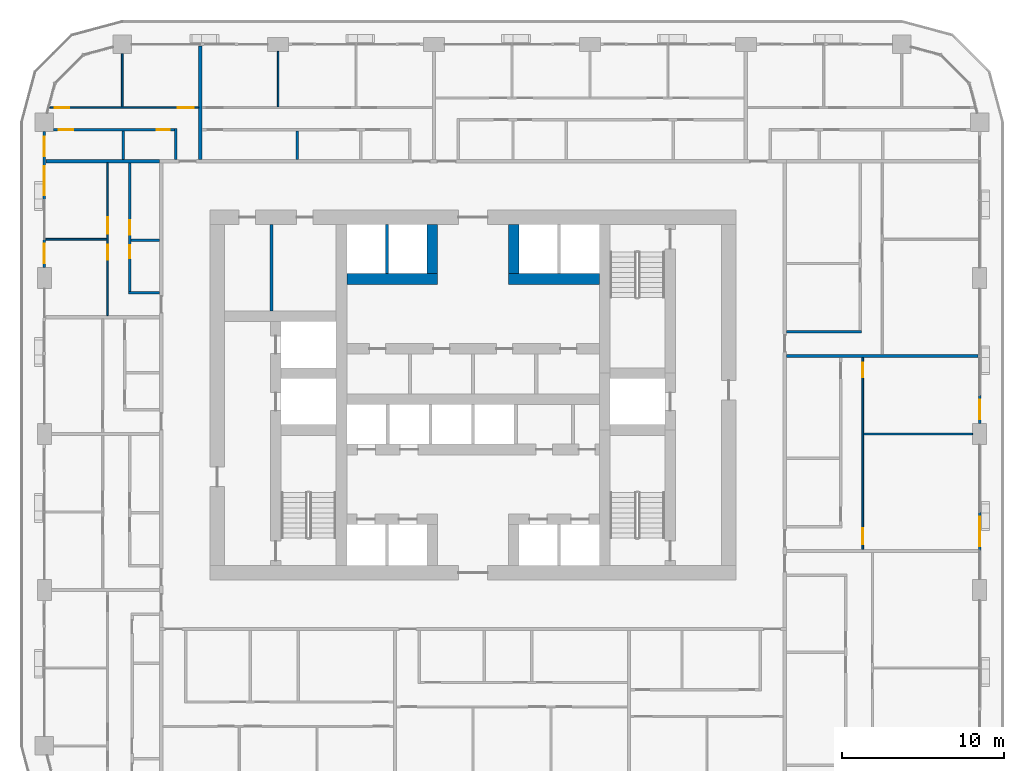
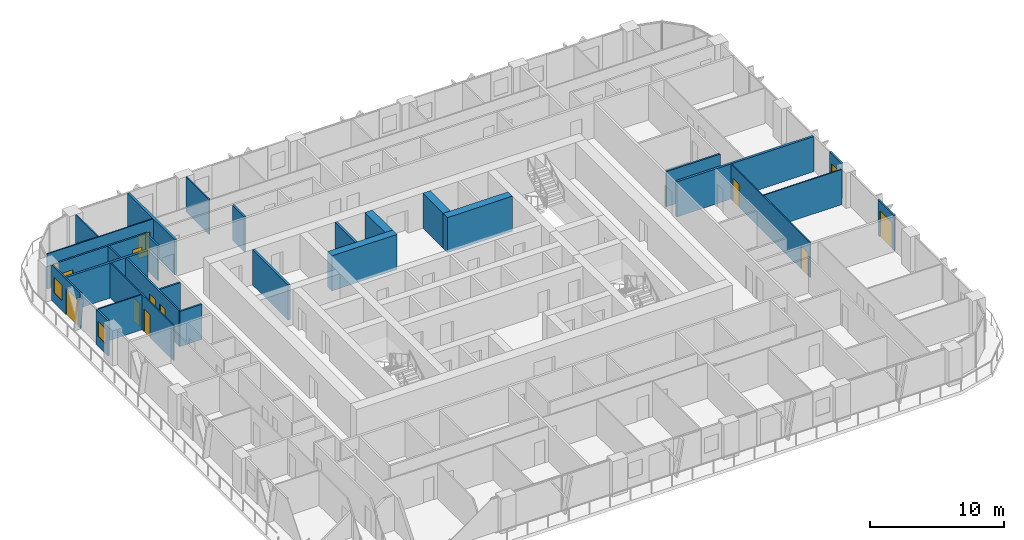
# One storey, part 13 of 22: 28 walls, 12 doors, 3 windows, 15 openings.
"""IFC4 building model written with IfcOpenShell, lengths in metres."""

import ifcopenshell
import ifcopenshell.guid

model = None  # the IFC model being written
_history = None  # IfcOwnerHistory: only IFC2X3 demands one
_inside = {}  # id of a spatial element -> (the spatial element, [elements in it])
_under = {}  # id of a project, library or spatial element -> (it, [spatial elements below it])
_declared = {}  # id of a project -> (the project, [libraries it declares])
_typed = {}  # id of a type object -> (the type object, [elements of that type])
_made_of = {}  # id of a material, layer set ... -> (it, [elements and type objects made of it])


def new_model(schema):
    """Start an empty IFC model of exactly this schema.

    Asked for "IFC4X3", IfcOpenShell would pick the latest addendum, in which some entities
    have other attributes; the version numbers below select the first issue.
    IFC2X3 requires an IfcOwnerHistory on every rooted entity: one is made here for all.
    """
    global model, _history
    if schema == "IFC4X3":
        model = ifcopenshell.file(schema_version=(4, 3, 0, 0))
    else:
        model = ifcopenshell.file(schema=schema)
    _inside.clear()
    _under.clear()
    _declared.clear()
    _typed.clear()
    _made_of.clear()
    _history = None
    if model.schema == "IFC2X3":
        org = make("IfcOrganization", Name="unknown")
        user = make(
            "IfcPersonAndOrganization",
            ThePerson=make("IfcPerson", FamilyName="unknown"),
            TheOrganization=org,
        )
        app = make(
            "IfcApplication",
            ApplicationDeveloper=org,
            Version="unknown",
            ApplicationFullName="unknown",
            ApplicationIdentifier="unknown",
        )
        _history = make(
            "IfcOwnerHistory",
            OwningUser=user,
            OwningApplication=app,
            ChangeAction="ADDED",
            CreationDate=0,
        )
    return model


def make(cls, **values):
    """One entity of the class cls with the attributes given. An attribute that is None is left unset."""
    return model.create_entity(
        cls, **{name: value for name, value in values.items() if value is not None}
    )


def rooted(cls, **values):
    """An entity with a GlobalId (a new one), such as an element, a storey or a relation."""
    return make(cls, GlobalId=ifcopenshell.guid.new(), OwnerHistory=_history, **values)


def si_unit(unit_type, name, prefix=None):
    """IfcSIUnit, for example si_unit("LENGTHUNIT", "METRE", prefix="MILLI")."""
    return make("IfcSIUnit", UnitType=unit_type, Prefix=prefix, Name=name)


def assignment(units):
    """IfcUnitAssignment: the units of a project."""
    return None if units is None else make("IfcUnitAssignment", Units=units)


def point(xyz):
    """IfcCartesianPoint."""
    return None if xyz is None else make("IfcCartesianPoint", Coordinates=xyz)


def direction(xyz):
    """IfcDirection."""
    return None if xyz is None else make("IfcDirection", DirectionRatios=xyz)


def frame(location, z_axis=None, x_axis=None):
    """IfcAxis2Placement3D, a coordinate frame: its origin and axes. An axis left out is left unset."""
    return make(
        "IfcAxis2Placement3D",
        Location=point(location),
        Axis=direction(z_axis),
        RefDirection=direction(x_axis),
    )


def frame_2d(location, x_axis=None):
    """IfcAxis2Placement2D, a coordinate frame in the plane: its origin and x axis."""
    return make(
        "IfcAxis2Placement2D", Location=point(location), RefDirection=direction(x_axis)
    )


def origin():
    """The frame at (0, 0, 0) with its axes left unset."""
    return frame((0.0, 0.0, 0.0))


def place(relative_to, where):
    """IfcLocalPlacement: puts the frame where relative to a parent placement (None: the world)."""
    return make(
        "IfcLocalPlacement", PlacementRelTo=relative_to, RelativePlacement=where
    )


def context(
    kind, dimensions, precision=None, world=None, true_north=None, identifier=None
):
    """IfcGeometricRepresentationContext, for example the 3D "Model" context."""
    return make(
        "IfcGeometricRepresentationContext",
        ContextIdentifier=identifier,
        ContextType=kind,
        CoordinateSpaceDimension=dimensions,
        Precision=precision,
        WorldCoordinateSystem=world,
        TrueNorth=true_north,
    )


def subcontext(parent, identifier, kind, view, scale=None):
    """IfcGeometricRepresentationSubContext, for example "Body" below "Model"."""
    return make(
        "IfcGeometricRepresentationSubContext",
        ContextIdentifier=identifier,
        ContextType=kind,
        ParentContext=parent,
        TargetScale=scale,
        TargetView=view,
    )


def project(units=None, contexts=None):
    """IfcProject with its units and contexts."""
    return rooted(
        "IfcProject",
        Name="project",
        RepresentationContexts=contexts,
        UnitsInContext=assignment(units),
    )


def spatial(cls, under=None, at=None, **own):
    """A site, building, storey or space (cls), placed at a placement, below another one or the project."""
    s = rooted(cls, ObjectPlacement=at, **own)
    if under is not None:
        _under.setdefault(under.id(), (under, []))[1].append(s)
    return s


def profile(cls, at=None, kind="AREA", **sizes):
    """A parametric profile (cls). Its sizes go by their IFC names, for example OverallWidth=200.0."""
    return make(cls, ProfileType=kind, Position=at, **sizes)


def rectangle(**sizes):
    """IfcRectangleProfileDef."""
    return profile("IfcRectangleProfileDef", **sizes)


def extrude(swept, where, along, depth):
    """IfcExtrudedAreaSolid: the profile swept, set in the frame where, extruded along a direction by depth."""
    return make(
        "IfcExtrudedAreaSolid",
        SweptArea=swept,
        Position=where,
        ExtrudedDirection=direction(along),
        Depth=depth,
    )


def shape(context_of_items, identifier, shape_type, items):
    """IfcShapeRepresentation: the items that make up one representation, for example the "Body"."""
    return make(
        "IfcShapeRepresentation",
        ContextOfItems=context_of_items,
        RepresentationIdentifier=identifier,
        RepresentationType=shape_type,
        Items=items,
    )


def material(Name=None, Category=None):
    """IfcMaterial."""
    return make("IfcMaterial", Name=Name, Category=Category)


def layer(
    of_material, thickness, ventilated=None, Name=None, Category=None, Priority=None
):
    """IfcMaterialLayer: one layer of a wall or slab, of a material (None: an air gap)."""
    return make(
        "IfcMaterialLayer",
        Material=of_material,
        LayerThickness=thickness,
        IsVentilated=ventilated,
        Name=Name,
        Category=Category,
        Priority=Priority,
    )


def layer_set(layers, Name=None):
    """IfcMaterialLayerSet."""
    return make("IfcMaterialLayerSet", MaterialLayers=layers, LayerSetName=Name)


def made_of(thing, what):
    """Note that an element or type object is made of a material, layer set ...; save() writes the relation."""
    if what is not None:
        _made_of.setdefault(what.id(), (what, []))[1].append(thing)
    return thing


def type_object(cls, material=None, **own):
    """A type object (cls), such as IfcWallType, which elements share."""
    return made_of(rooted(cls, **own), material)


def element(
    cls,
    number,
    at=None,
    inside=None,
    cuts=None,
    type_object=None,
    material=None,
    context=None,
    identifier="Body",
    shape_type=None,
    held_by="IfcProductDefinitionShape",
    body=None,
    shapes=None,
    **own,
):
    """One element of the class cls, such as IfcWall. Its Tag is "e" and its number.

    at: its placement. inside: the storey or other place that contains it. cuts: it is an
    opening in that element (IfcRelVoidsElement). A single representation is given by context,
    identifier, shape_type and body (its items); several are given by shapes. held_by: the class
    of the entity that holds the representations. save() writes the other relations.
    """
    e = rooted(cls, Tag="e%d" % number, ObjectPlacement=at, **own)
    if body is not None:
        shapes = [shape(context, identifier, shape_type, body)]
    if shapes is not None:
        e.Representation = make(held_by, Representations=shapes)
    if inside is not None:
        _inside.setdefault(inside.id(), (inside, []))[1].append(e)
    if cuts is not None:
        rooted(
            "IfcRelVoidsElement", RelatingBuildingElement=cuts, RelatedOpeningElement=e
        )
    if type_object is not None:
        _typed.setdefault(type_object.id(), (type_object, []))[1].append(e)
    return made_of(e, material)


def fill(opening, filler):
    """IfcRelFillsElement: the door or window that sits in an opening."""
    return rooted(
        "IfcRelFillsElement",
        RelatingOpeningElement=opening,
        RelatedBuildingElement=filler,
    )


def aggregate(whole, parts):
    """IfcRelAggregates: a whole, such as a stair, and the parts it consists of."""
    return rooted("IfcRelAggregates", RelatingObject=whole, RelatedObjects=parts)


def save(model, path):
    """Write the relations noted so far, then the file.

    IfcRelAggregates (storeys below a building ...), IfcRelContainedInSpatialStructure (elements
    in a storey), IfcRelDefinesByType, IfcRelAssociatesMaterial and IfcRelDeclares: one each for
    every whole, place, type object, material and project.
    """
    for whole, parts in _under.values():
        aggregate(whole, parts)
    for where, things in _inside.values():
        rooted(
            "IfcRelContainedInSpatialStructure",
            RelatedElements=things,
            RelatingStructure=where,
        )
    for kind, things in _typed.values():
        rooted("IfcRelDefinesByType", RelatedObjects=things, RelatingType=kind)
    for what, things in _made_of.values():
        rooted("IfcRelAssociatesMaterial", RelatedObjects=things, RelatingMaterial=what)
    for by, libraries in _declared.values():
        rooted("IfcRelDeclares", RelatingContext=by, RelatedDefinitions=libraries)
    model.write(path)


model = new_model("IFC4")

# Units and contexts
model_context = context("Model", 3, precision=1e-05, world=origin(), true_north=direction((0.0, 1.0)))
body_context = subcontext(model_context, "Body", "Model", "MODEL_VIEW")
ifc_project = project(units=[si_unit("LENGTHUNIT", "METRE"), si_unit("AREAUNIT", "SQUARE_METRE"), si_unit("VOLUMEUNIT", "CUBIC_METRE"), si_unit("PLANEANGLEUNIT", "RADIAN"), si_unit("MASSUNIT", "GRAM", prefix="KILO")], contexts=[model_context])

# Site, building, storey
site_placement = place(None, origin())
site = spatial("IfcSite", under=ifc_project, at=site_placement, CompositionType="ELEMENT")
building_placement = place(site_placement, origin())
building = spatial("IfcBuilding", under=site, at=building_placement, Name="Madar Terraces", CompositionType="ELEMENT")
storey_placement = place(building_placement, frame((0.0, 0.0, 59.300048828125)))
storey = spatial("IfcBuildingStorey", under=building, at=storey_placement, Name="L14", CompositionType="ELEMENT", Elevation=59.300048828125)

# Walls
ifc_material_1 = material(Name="Concrete C80/95", Category="concrete")
ifc_layer_1 = layer(ifc_material_1, 0.64990234375)
ifc_layer_set_1 = layer_set([ifc_layer_1], Name="Concrete C80/95 (CIW2 RC wall 650)")
wall_type_1 = type_object("IfcWallType", Name="CIW2 RC wall 650", PredefinedType="SHEAR", material=ifc_layer_set_1)
wall_1_placement = place(storey_placement, frame((23.425048828125, 33.550048828125, 0.0), z_axis=(0.0, 0.0, 1.0), x_axis=(1.0, 0.0, 0.0)))
element("IfcWall", 1, at=wall_1_placement, inside=storey, type_object=wall_type_1, Name="CORE SHAFT WALL", PredefinedType="SHEAR", context=body_context, shape_type="SweptSolid", body=[
    extrude(rectangle(XDim=5.599853515625, YDim=0.64990234375, at=frame_2d((2.7998046875, 0.0))), origin(), (0.0, 0.0, 1.0), 3.199951171875),
])
wall_2_placement = place(storey_placement, frame((33.375, 33.550048828125, 0.0), z_axis=(0.0, 0.0, 1.0), x_axis=(1.0, 0.0, 0.0)))
element("IfcWall", 2, at=wall_2_placement, inside=storey, type_object=wall_type_1, Name="CORE SHAFT WALL", PredefinedType="SHEAR", context=body_context, shape_type="SweptSolid", body=[
    extrude(rectangle(XDim=5.60009765625, YDim=0.64990234375, at=frame_2d((2.800048828125, 0.0))), origin(), (0.0, 0.0, 1.0), 3.199951171875),
])
for number, where, z_axis, x_axis, name in (
    (3, (28.699951171875, 33.875, 0.0), (0.0, 0.0, 1.0), (0.0, 1.0, 0.0), "CORE SHAFT WALL"),
    (4, (33.699951171875, 33.875, 0.0), (0.0, 0.0, 1.0), (0.0, 1.0, 0.0), "CORE SHAFT WALL"),
):
    element("IfcWall", number, at=place(storey_placement, frame(where, z_axis=z_axis, x_axis=x_axis)), inside=storey, type_object=wall_type_1, Name=name, PredefinedType="SHEAR", context=body_context, shape_type="SweptSolid", body=[
        extrude(rectangle(XDim=3.02490234375, YDim=0.64990234375, at=frame_2d((1.512451171875, 0.0))), origin(), (0.0, 0.0, 1.0), 3.199951171875),
    ])
ifc_material_2 = material(Name="Masonry blockwork", Category="masonry")
ifc_layer_2 = layer(ifc_material_2, 0.199951171875)
ifc_layer_set_2 = layer_set([ifc_layer_2], Name="Core partition 200 blockwork")
wall_type_2 = type_object("IfcWallType", Name="Core partition 200 blockwork", PredefinedType="PARTITIONING", material=ifc_layer_set_2)
wall_3_placement = place(storey_placement, frame((18.78759765625, 31.574951171875, 0.0), z_axis=(0.0, 0.0, 1.0), x_axis=(0.0, 1.0, 0.0)))
element("IfcWall", 5, at=wall_3_placement, inside=storey, type_object=wall_type_2, Name="SERVICE ROOM PARTITION", PredefinedType="PARTITIONING", context=body_context, shape_type="SweptSolid", body=[
    extrude(rectangle(XDim=5.324951171875, YDim=0.199951171875, at=frame_2d((2.66259765625, 0.0))), origin(), (0.0, 0.0, 1.0), 3.199951171875),
])
ifc_material_3 = material(Name="Concrete C40/50", Category="concrete")
ifc_layer_3 = layer(ifc_material_3, 0.199951171875)
ifc_layer_set_3 = layer_set([ifc_layer_3], Name="Core shaft dividing wall 200 C40/50")
wall_type_3 = type_object("IfcWallType", Name="Core shaft dividing wall 200 C40/50", PredefinedType="SOLIDWALL", material=ifc_layer_set_3)
wall_4_placement = place(storey_placement, frame((25.89990234375, 33.875, 0.0), z_axis=(0.0, 0.0, 1.0), x_axis=(0.0, 1.0, 0.0)))
element("IfcWall", 6, at=wall_4_placement, inside=storey, type_object=wall_type_3, Name="SHAFT DIVIDING WALL", PredefinedType="SOLIDWALL", context=body_context, shape_type="SweptSolid", body=[
    extrude(rectangle(XDim=3.02490234375, YDim=0.199951171875, at=frame_2d((1.512451171875, 0.0))), origin(), (0.0, 0.0, 1.0), 3.199951171875),
])

# Wall, opening, door
ifc_material_4 = material(Name="Aluminium composite panel, black, over insulated backing", Category="aluminium")
ifc_layer_4 = layer(ifc_material_4, 0.14990234375)
ifc_layer_set_4 = layer_set([ifc_layer_4], Name="Facade bay panel 150")
wall_type_4 = type_object("IfcWallType", Name="Facade bay panel 150", PredefinedType="SOLIDWALL", material=ifc_layer_set_4)
wall_5_placement = place(storey_placement, frame((62.39990234375, 16.800048828125, 0.0), z_axis=(0.0, 0.0, 1.0), x_axis=(0.0, 1.0, 0.0)))
wall_5 = element("IfcWall", 7, at=wall_5_placement, inside=storey, type_object=wall_type_4, Name="Facade bay panel", PredefinedType="SOLIDWALL", context=body_context, shape_type="SweptSolid", body=[
    extrude(rectangle(XDim=2.39990234375, YDim=0.14990234375, at=frame_2d((1.199951171875, 0.0))), origin(), (0.0, 0.0, 1.0), 3.199951171875),
])
opening_1_placement = place(wall_5_placement, frame((0.300048828125, 0.0, 0.0)))
opening_1 = element("IfcOpeningElement", 8, at=opening_1_placement, cuts=wall_5, Name="Opening ED1", PredefinedType="OPENING", context=body_context, shape_type="SweptSolid", body=[
    extrude(rectangle(XDim=1.800048828125, YDim=2.39990234375, at=frame_2d((0.89990234375, 1.199951171875))), frame((0.0, 0.0849609375, 0.0), z_axis=(0.0, -1.0, 0.0), x_axis=(1.0, 0.0, 0.0)), (0.0, 0.0, 1.0), 0.169921875),
])
ifc_material_5 = material(Name="Glass, clear, with black aluminium frame", Category="aluminium")
door_type_1 = type_object("IfcDoorType", Name="Balcony and terrace sliding door 1800 x 2400", OperationType="SLIDING_TO_LEFT", PredefinedType="DOOR", material=ifc_material_5)
door_1_placement = place(opening_1_placement, origin())
door_1 = element("IfcDoor", 9, at=door_1_placement, inside=storey, type_object=door_type_1, Name="Balcony door", OperationType="SLIDING_TO_LEFT", OverallHeight=2.39990234375, OverallWidth=1.800048828125, PredefinedType="DOOR", context=body_context, shape_type="SweptSolid", body=[
    extrude(rectangle(XDim=1.800048828125, YDim=2.39990234375, at=frame_2d((0.89990234375, 1.199951171875))), frame((0.0, 0.02490234375, 0.0), z_axis=(0.0, -1.0, 0.0), x_axis=(1.0, 0.0, 0.0)), (0.0, 0.0, 1.0), 0.050048828125),
])
fill(opening_1, door_1)

# Wall, opening, window
wall_6_placement = place(storey_placement, frame((62.39990234375, 24.64990234375, 0.0), z_axis=(0.0, 0.0, 1.0), x_axis=(0.0, 1.0, 0.0)))
wall_6 = element("IfcWall", 10, at=wall_6_placement, inside=storey, type_object=wall_type_4, Name="Facade bay panel", PredefinedType="SOLIDWALL", context=body_context, shape_type="SweptSolid", body=[
    extrude(rectangle(XDim=1.75, YDim=0.14990234375, at=frame_2d((0.875, 0.0))), origin(), (0.0, 0.0, 1.0), 3.199951171875),
])
opening_2_placement = place(wall_6_placement, frame((0.27490234375, 0.0, 0.89990234375)))
opening_2 = element("IfcOpeningElement", 11, at=opening_2_placement, cuts=wall_6, Name="Opening W1", PredefinedType="OPENING", context=body_context, shape_type="SweptSolid", body=[
    extrude(rectangle(XDim=1.199951171875, YDim=1.39990234375, at=frame_2d((0.60009765625, 0.699951171875))), frame((0.0, 0.0849609375, 0.0), z_axis=(0.0, -1.0, 0.0), x_axis=(1.0, 0.0, 0.0)), (0.0, 0.0, 1.0), 0.169921875),
])
ifc_material_6 = material(Name="Glass, clear, with black aluminium frame", Category="aluminium")
window_type = type_object("IfcWindowType", Name="Vent window 1200 x 1400", PartitioningType="SINGLE_PANEL", PredefinedType="WINDOW", material=ifc_material_6)
window_1_placement = place(opening_2_placement, origin())
window_1 = element("IfcWindow", 12, at=window_1_placement, inside=storey, type_object=window_type, Name="Operable vent window", OverallHeight=1.39990234375, OverallWidth=1.199951171875, PartitioningType="SINGLE_PANEL", PredefinedType="WINDOW", context=body_context, shape_type="SweptSolid", body=[
    extrude(rectangle(XDim=1.199951171875, YDim=1.39990234375, at=frame_2d((0.60009765625, 0.699951171875))), frame((0.0, 0.030029296875, 0.0), z_axis=(0.0, -1.0, 0.0), x_axis=(1.0, 0.0, 0.0)), (0.0, 0.0, 1.0), 0.06005859375),
])
fill(opening_2, window_1)

# Wall, openings, door, window
wall_7_placement = place(storey_placement, frame((4.800048828125, 42.625, 0.0), z_axis=(0.0, 0.0, 1.0), x_axis=(0.0, -1.0, 0.0)))
wall_7 = element("IfcWall", 13, at=wall_7_placement, inside=storey, type_object=wall_type_4, Name="Facade bay panel", PredefinedType="SOLIDWALL", context=body_context, shape_type="SweptSolid", body=[
    extrude(rectangle(XDim=4.22509765625, YDim=0.14990234375, at=frame_2d((2.112548828125, 0.0))), origin(), (0.0, 0.0, 1.0), 3.199951171875),
])
opening_3_placement = place(wall_7_placement, frame((0.3125, 0.0, 0.89990234375)))
opening_3 = element("IfcOpeningElement", 14, at=opening_3_placement, cuts=wall_7, Name="Opening W1", PredefinedType="OPENING", context=body_context, shape_type="SweptSolid", body=[
    extrude(rectangle(XDim=1.199951171875, YDim=1.39990234375, at=frame_2d((0.60009765625, 0.699951171875))), frame((0.0, 0.0849609375, 0.0), z_axis=(0.0, -1.0, 0.0), x_axis=(1.0, 0.0, 0.0)), (0.0, 0.0, 1.0), 0.169921875),
])
opening_4_placement = place(wall_7_placement, frame((2.125, 0.0, 0.0)))
opening_4 = element("IfcOpeningElement", 15, at=opening_4_placement, cuts=wall_7, Name="Opening ED1", PredefinedType="OPENING", context=body_context, shape_type="SweptSolid", body=[
    extrude(rectangle(XDim=1.800048828125, YDim=2.39990234375, at=frame_2d((0.89990234375, 1.199951171875))), frame((0.0, 0.0849609375, 0.0), z_axis=(0.0, -1.0, 0.0), x_axis=(1.0, 0.0, 0.0)), (0.0, 0.0, 1.0), 0.169921875),
])
door_2_placement = place(opening_4_placement, origin())
door_2 = element("IfcDoor", 16, at=door_2_placement, inside=storey, type_object=door_type_1, Name="Balcony door", OperationType="SLIDING_TO_RIGHT", OverallHeight=2.39990234375, OverallWidth=1.800048828125, PredefinedType="DOOR", context=body_context, shape_type="SweptSolid", body=[
    extrude(rectangle(XDim=1.800048828125, YDim=2.39990234375, at=frame_2d((0.89990234375, 1.199951171875))), frame((0.0, 0.02490234375, 0.0), z_axis=(0.0, -1.0, 0.0), x_axis=(1.0, 0.0, 0.0)), (0.0, 0.0, 1.0), 0.050048828125),
])
fill(opening_4, door_2)
window_2_placement = place(opening_3_placement, origin())
window_2 = element("IfcWindow", 17, at=window_2_placement, inside=storey, type_object=window_type, Name="Operable vent window", OverallHeight=1.39990234375, OverallWidth=1.199951171875, PartitioningType="SINGLE_PANEL", PredefinedType="WINDOW", context=body_context, shape_type="SweptSolid", body=[
    extrude(rectangle(XDim=1.199951171875, YDim=1.39990234375, at=frame_2d((0.60009765625, 0.699951171875))), frame((0.0, 0.030029296875, 0.0), z_axis=(0.0, -1.0, 0.0), x_axis=(1.0, 0.0, 0.0)), (0.0, 0.0, 1.0), 0.06005859375),
])
fill(opening_3, window_2)

# Wall, opening, window
wall_8_placement = place(storey_placement, frame((4.800048828125, 36.0, 0.0), z_axis=(0.0, 0.0, 1.0), x_axis=(0.0, -1.0, 0.0)))
wall_8 = element("IfcWall", 18, at=wall_8_placement, inside=storey, type_object=wall_type_4, Name="Facade bay panel", PredefinedType="SOLIDWALL", context=body_context, shape_type="SweptSolid", body=[
    extrude(rectangle(XDim=1.75, YDim=0.14990234375, at=frame_2d((0.875, 0.0))), origin(), (0.0, 0.0, 1.0), 3.199951171875),
])
opening_5_placement = place(wall_8_placement, frame((0.27490234375, 0.0, 0.89990234375)))
opening_5 = element("IfcOpeningElement", 19, at=opening_5_placement, cuts=wall_8, Name="Opening W1", PredefinedType="OPENING", context=body_context, shape_type="SweptSolid", body=[
    extrude(rectangle(XDim=1.199951171875, YDim=1.39990234375, at=frame_2d((0.60009765625, 0.699951171875))), frame((0.0, 0.0849609375, 0.0), z_axis=(0.0, -1.0, 0.0), x_axis=(1.0, 0.0, 0.0)), (0.0, 0.0, 1.0), 0.169921875),
])
window_3_placement = place(opening_5_placement, origin())
window_3 = element("IfcWindow", 20, at=window_3_placement, inside=storey, type_object=window_type, Name="Operable vent window", OverallHeight=1.39990234375, OverallWidth=1.199951171875, PartitioningType="SINGLE_PANEL", PredefinedType="WINDOW", context=body_context, shape_type="SweptSolid", body=[
    extrude(rectangle(XDim=1.199951171875, YDim=1.39990234375, at=frame_2d((0.60009765625, 0.699951171875))), frame((0.0, 0.030029296875, 0.0), z_axis=(0.0, -1.0, 0.0), x_axis=(1.0, 0.0, 0.0)), (0.0, 0.0, 1.0), 0.06005859375),
])
fill(opening_5, window_3)

# Wall
ifc_material_7 = material(Name="Gypsum board on steel studs", Category="steel")
ifc_layer_5 = layer(ifc_material_7, 0.10009765625)
ifc_layer_set_5 = layer_set([ifc_layer_5], Name="Flat partition 100")
wall_type_5 = type_object("IfcWallType", Name="Flat partition 100", PredefinedType="PARTITIONING", material=ifc_layer_set_5)
wall_9_placement = place(storey_placement, frame((55.25, 24.0, 0.0), z_axis=(0.0, 0.0, 1.0), x_axis=(1.0, 0.0, 0.0)))
element("IfcWall", 21, at=wall_9_placement, inside=storey, type_object=wall_type_5, Name="Flat partition 100", PredefinedType="PARTITIONING", context=body_context, shape_type="SweptSolid", body=[
    extrude(rectangle(XDim=6.72509765625, YDim=0.10009765625, at=frame_2d((3.362548828125, 0.0))), origin(), (0.0, 0.0, 1.0), 3.199951171875),
])

# Wall, openings, doors
wall_10_placement = place(storey_placement, frame((55.199951171875, 28.699951171875, 0.0), z_axis=(0.0, 0.0, 1.0), x_axis=(0.0, -1.0, 0.0)))
wall_10 = element("IfcWall", 22, at=wall_10_placement, inside=storey, type_object=wall_type_5, Name="Flat partition 100", PredefinedType="PARTITIONING", context=body_context, shape_type="SweptSolid", body=[
    extrude(rectangle(XDim=11.800048828125, YDim=0.10009765625, at=frame_2d((5.89990234375, 0.0))), origin(), (0.0, 0.0, 1.0), 3.199951171875),
])
opening_6_placement = place(wall_10_placement, frame((10.5, 0.0, 0.0)))
opening_6 = element("IfcOpeningElement", 23, at=opening_6_placement, cuts=wall_10, Name="Opening D3", PredefinedType="OPENING", context=body_context, shape_type="SweptSolid", body=[
    extrude(rectangle(XDim=1.0, YDim=2.10009765625, at=frame_2d((0.5, 1.050048828125))), frame((0.0, 0.06005859375, 0.0), z_axis=(0.0, -1.0, 0.0), x_axis=(1.0, 0.0, 0.0)), (0.0, 0.0, 1.0), 0.1201171875),
])
opening_7_placement = place(wall_10_placement, frame((0.300048828125, 0.0, 0.0)))
opening_7 = element("IfcOpeningElement", 24, at=opening_7_placement, cuts=wall_10, Name="Opening D2", PredefinedType="OPENING", context=body_context, shape_type="SweptSolid", body=[
    extrude(rectangle(XDim=0.89990234375, YDim=2.10009765625, at=frame_2d((0.449951171875, 1.050048828125))), frame((0.0, 0.06005859375, 0.0), z_axis=(0.0, -1.0, 0.0), x_axis=(1.0, 0.0, 0.0)), (0.0, 0.0, 1.0), 0.1201171875),
])
ifc_material_8 = material(Name="Timber door leaf", Category="wood")
door_type_2 = type_object("IfcDoorType", Name="Flat living room door 1000", OperationType="NOTDEFINED", PredefinedType="DOOR", material=ifc_material_8)
door_3_placement = place(opening_6_placement, origin())
door_3 = element("IfcDoor", 25, at=door_3_placement, inside=storey, type_object=door_type_2, Name="Flat living room door 1000", OperationType="SINGLE_SWING_RIGHT", OverallHeight=2.10009765625, OverallWidth=1.0, PredefinedType="DOOR", context=body_context, shape_type="SweptSolid", body=[
    extrude(rectangle(XDim=1.0, YDim=2.10009765625, at=frame_2d((0.5, 1.050048828125))), frame((0.0, 0.02490234375, 0.0), z_axis=(0.0, -1.0, 0.0), x_axis=(1.0, 0.0, 0.0)), (0.0, 0.0, 1.0), 0.050048828125),
])
fill(opening_6, door_3)
ifc_material_9 = material(Name="Timber door leaf", Category="wood")
door_type_3 = type_object("IfcDoorType", Name="Flat room door 900", OperationType="NOTDEFINED", PredefinedType="DOOR", material=ifc_material_9)
door_4_placement = place(opening_7_placement, origin())
door_4 = element("IfcDoor", 26, at=door_4_placement, inside=storey, type_object=door_type_3, Name="Flat room door 900", OperationType="SINGLE_SWING_LEFT", OverallHeight=2.10009765625, OverallWidth=0.89990234375, PredefinedType="DOOR", context=body_context, shape_type="SweptSolid", body=[
    extrude(rectangle(XDim=0.89990234375, YDim=2.10009765625, at=frame_2d((0.449951171875, 1.050048828125))), frame((0.0, 0.02490234375, 0.0), z_axis=(0.0, -1.0, 0.0), x_axis=(1.0, 0.0, 0.0)), (0.0, 0.0, 1.0), 0.050048828125),
])
fill(opening_7, door_4)

# Walls
wall_11_placement = place(storey_placement, frame((19.199951171875, 44.14990234375, 0.0), z_axis=(0.0, 0.0, 1.0), x_axis=(0.0, 1.0, 0.0)))
element("IfcWall", 27, at=wall_11_placement, inside=storey, type_object=wall_type_5, Name="Flat partition 100", PredefinedType="PARTITIONING", context=body_context, shape_type="SweptSolid", body=[
    extrude(rectangle(XDim=3.425048828125, YDim=0.10009765625, at=frame_2d((1.71240234375, 0.0))), origin(), (0.0, 0.0, 1.0), 3.199951171875),
])
wall_12_placement = place(storey_placement, frame((9.60009765625, 44.14990234375, 0.0), z_axis=(0.0, 0.0, 1.0), x_axis=(0.0, 1.0, 0.0)))
element("IfcWall", 28, at=wall_12_placement, inside=storey, type_object=wall_type_5, Name="Flat partition 100", PredefinedType="PARTITIONING", context=body_context, shape_type="SweptSolid", body=[
    extrude(rectangle(XDim=3.275146484375, YDim=0.10009765625, at=frame_2d((1.6376953125, 0.0))), origin(), (0.0, 0.0, 1.0), 3.199951171875),
])

# Wall, openings, doors
wall_13_placement = place(storey_placement, frame((5.14111328125, 44.10009765625, 0.0), z_axis=(0.0, 0.0, 1.0), x_axis=(1.0, 0.0, 0.0)))
wall_13 = element("IfcWall", 29, at=wall_13_placement, inside=storey, type_object=wall_type_5, Name="Flat partition 100", PredefinedType="PARTITIONING", context=body_context, shape_type="SweptSolid", body=[
    extrude(rectangle(XDim=9.158935546875, YDim=0.10009765625, at=frame_2d((4.57958984375, 0.0))), origin(), (0.0, 0.0, 1.0), 3.199951171875),
])
opening_8_placement = place(wall_13_placement, frame((7.85888671875, 0.0, 0.0)))
opening_8 = element("IfcOpeningElement", 30, at=opening_8_placement, cuts=wall_13, Name="Opening D3", PredefinedType="OPENING", context=body_context, shape_type="SweptSolid", body=[
    extrude(rectangle(XDim=1.0, YDim=2.10009765625, at=frame_2d((0.5, 1.050048828125))), frame((0.0, 0.06005859375, 0.0), z_axis=(0.0, -1.0, 0.0), x_axis=(1.0, 0.0, 0.0)), (0.0, 0.0, 1.0), 0.1201171875),
])
opening_9_placement = place(wall_13_placement, frame((0.300048828125, 0.0, 0.0)))
opening_9 = element("IfcOpeningElement", 31, at=opening_9_placement, cuts=wall_13, Name="Opening D2", PredefinedType="OPENING", context=body_context, shape_type="SweptSolid", body=[
    extrude(rectangle(XDim=0.89990234375, YDim=2.10009765625, at=frame_2d((0.449951171875, 1.050048828125))), frame((0.0, 0.06005859375, 0.0), z_axis=(0.0, -1.0, 0.0), x_axis=(1.0, 0.0, 0.0)), (0.0, 0.0, 1.0), 0.1201171875),
])
door_5_placement = place(opening_8_placement, origin())
door_5 = element("IfcDoor", 32, at=door_5_placement, inside=storey, type_object=door_type_2, Name="Flat living room door 1000", OperationType="SINGLE_SWING_RIGHT", OverallHeight=2.10009765625, OverallWidth=1.0, PredefinedType="DOOR", context=body_context, shape_type="SweptSolid", body=[
    extrude(rectangle(XDim=1.0, YDim=2.10009765625, at=frame_2d((0.5, 1.050048828125))), frame((0.0, 0.02490234375, 0.0), z_axis=(0.0, -1.0, 0.0), x_axis=(1.0, 0.0, 0.0)), (0.0, 0.0, 1.0), 0.050048828125),
])
fill(opening_8, door_5)
door_6_placement = place(opening_9_placement, origin())
door_6 = element("IfcDoor", 33, at=door_6_placement, inside=storey, type_object=door_type_3, Name="Flat room door 900", OperationType="SINGLE_SWING_LEFT", OverallHeight=2.10009765625, OverallWidth=0.89990234375, PredefinedType="DOOR", context=body_context, shape_type="SweptSolid", body=[
    extrude(rectangle(XDim=0.89990234375, YDim=2.10009765625, at=frame_2d((0.449951171875, 1.050048828125))), frame((0.0, 0.02490234375, 0.0), z_axis=(0.0, -1.0, 0.0), x_axis=(1.0, 0.0, 0.0)), (0.0, 0.0, 1.0), 0.050048828125),
])
fill(opening_9, door_6)

# Wall
wall_14_placement = place(storey_placement, frame((8.64990234375, 36.0, 0.0), z_axis=(0.0, 0.0, 1.0), x_axis=(-1.0, 0.0, 0.0)))
element("IfcWall", 34, at=wall_14_placement, inside=storey, type_object=wall_type_5, Name="Flat partition 100", PredefinedType="PARTITIONING", context=body_context, shape_type="SweptSolid", body=[
    extrude(rectangle(XDim=3.75, YDim=0.10009765625, at=frame_2d((1.875, 0.0))), origin(), (0.0, 0.0, 1.0), 3.199951171875),
])

# Wall, openings, doors
wall_15_placement = place(storey_placement, frame((8.699951171875, 31.300048828125, 0.0), z_axis=(0.0, 0.0, 1.0), x_axis=(0.0, 1.0, 0.0)))
wall_15 = element("IfcWall", 35, at=wall_15_placement, inside=storey, type_object=wall_type_5, Name="Flat partition 100", PredefinedType="PARTITIONING", context=body_context, shape_type="SweptSolid", body=[
    extrude(rectangle(XDim=9.39990234375, YDim=0.10009765625, at=frame_2d((4.699951171875, 0.0))), origin(), (0.0, 0.0, 1.0), 3.199951171875),
])
opening_10_placement = place(wall_15_placement, frame((3.449951171875, 0.0, 0.0)))
opening_10 = element("IfcOpeningElement", 36, at=opening_10_placement, cuts=wall_15, Name="Opening D2", PredefinedType="OPENING", context=body_context, shape_type="SweptSolid", body=[
    extrude(rectangle(XDim=0.89990234375, YDim=2.10009765625, at=frame_2d((0.449951171875, 1.050048828125))), frame((0.0, 0.06005859375, 0.0), z_axis=(0.0, -1.0, 0.0), x_axis=(1.0, 0.0, 0.0)), (0.0, 0.0, 1.0), 0.1201171875),
])
opening_11_placement = place(wall_15_placement, frame((5.050048828125, 0.0, 0.0)))
opening_11 = element("IfcOpeningElement", 37, at=opening_11_placement, cuts=wall_15, Name="Opening D3", PredefinedType="OPENING", context=body_context, shape_type="SweptSolid", body=[
    extrude(rectangle(XDim=1.0, YDim=2.10009765625, at=frame_2d((0.5, 1.050048828125))), frame((0.0, 0.06005859375, 0.0), z_axis=(0.0, -1.0, 0.0), x_axis=(1.0, 0.0, 0.0)), (0.0, 0.0, 1.0), 0.1201171875),
])
door_7_placement = place(opening_11_placement, origin())
door_7 = element("IfcDoor", 38, at=door_7_placement, inside=storey, type_object=door_type_2, Name="Flat living room door 1000", OperationType="SINGLE_SWING_LEFT", OverallHeight=2.10009765625, OverallWidth=1.0, PredefinedType="DOOR", context=body_context, shape_type="SweptSolid", body=[
    extrude(rectangle(XDim=1.0, YDim=2.10009765625, at=frame_2d((0.5, 1.050048828125))), frame((0.0, 0.02490234375, 0.0), z_axis=(0.0, -1.0, 0.0), x_axis=(1.0, 0.0, 0.0)), (0.0, 0.0, 1.0), 0.050048828125),
])
fill(opening_11, door_7)
door_8_placement = place(opening_10_placement, origin())
door_8 = element("IfcDoor", 39, at=door_8_placement, inside=storey, type_object=door_type_3, Name="Flat room door 900", OperationType="SINGLE_SWING_RIGHT", OverallHeight=2.10009765625, OverallWidth=0.89990234375, PredefinedType="DOOR", context=body_context, shape_type="SweptSolid", body=[
    extrude(rectangle(XDim=0.89990234375, YDim=2.10009765625, at=frame_2d((0.449951171875, 1.050048828125))), frame((0.0, 0.02490234375, 0.0), z_axis=(0.0, -1.0, 0.0), x_axis=(1.0, 0.0, 0.0)), (0.0, 0.0, 1.0), 0.050048828125),
])
fill(opening_10, door_8)

# Walls
ifc_material_10 = material(Name="Lightweight blockwork", Category="masonry")
ifc_layer_6 = layer(ifc_material_10, 0.199951171875)
ifc_layer_set_6 = layer_set([ifc_layer_6], Name="Flat party and entrance wall 200")
wall_type_6 = type_object("IfcWallType", Name="Flat party and entrance wall 200", PredefinedType="PARTITIONING", material=ifc_layer_set_6)
wall_16_placement = place(storey_placement, frame((50.5, 28.800048828125, 0.0), z_axis=(0.0, 0.0, 1.0), x_axis=(1.0, 0.0, 0.0)))
element("IfcWall", 40, at=wall_16_placement, inside=storey, type_object=wall_type_6, Name="Flat party and entrance wall 200", PredefinedType="PARTITIONING", context=body_context, shape_type="SweptSolid", body=[
    extrude(rectangle(XDim=11.800048828125, YDim=0.199951171875, at=frame_2d((5.89990234375, 0.0))), origin(), (0.0, 0.0, 1.0), 3.199951171875),
])
for number, where, z_axis, x_axis, name in (
    (41, (14.39990234375, 47.89990234375, 0.0), (0.0, 0.0, 1.0), (0.0, -1.0, 0.0), "Flat party and entrance wall 200"),
    (42, (4.89990234375, 40.800048828125, 0.0), (0.0, 0.0, 1.0), (1.0, 0.0, 0.0), "Flat party and entrance wall 200"),
):
    element("IfcWall", number, at=place(storey_placement, frame(where, z_axis=z_axis, x_axis=x_axis)), inside=storey, type_object=wall_type_6, Name=name, PredefinedType="PARTITIONING", context=body_context, shape_type="SweptSolid", body=[
        extrude(rectangle(XDim=7.0, YDim=0.199951171875, at=frame_2d((3.5, 0.0))), origin(), (0.0, 0.0, 1.0), 3.199951171875),
    ])
ifc_material_11 = material(Name="Lightweight blockwork", Category="masonry")
ifc_layer_7 = layer(ifc_material_11, 0.14990234375)
ifc_layer_set_7 = layer_set([ifc_layer_7], Name="Flat wet-room partition 150")
wall_type_7 = type_object("IfcWallType", Name="Flat wet-room partition 150", PredefinedType="PARTITIONING", material=ifc_layer_set_7)
wall_17_placement = place(storey_placement, frame((50.5, 30.300048828125, 0.0), z_axis=(0.0, 0.0, 1.0), x_axis=(1.0, 0.0, 0.0)))
element("IfcWall", 43, at=wall_17_placement, inside=storey, type_object=wall_type_7, Name="Flat wet-room partition 150", PredefinedType="PARTITIONING", context=body_context, shape_type="SweptSolid", body=[
    extrude(rectangle(XDim=4.625, YDim=0.14990234375, at=frame_2d((2.3125, 0.0))), origin(), (0.0, 0.0, 1.0), 3.199951171875),
])
for number, where, z_axis, x_axis, name in (
    (44, (20.373046875, 40.89990234375, 0.0), (0.0, 0.0, 1.0), (0.0, 1.0, 0.0), "Flat wet-room partition 150"),
    (45, (9.655029296875, 40.89990234375, 0.0), (0.0, 0.0, 1.0), (0.0, 1.0, 0.0), "Flat wet-room partition 150"),
):
    element("IfcWall", number, at=place(storey_placement, frame(where, z_axis=z_axis, x_axis=x_axis)), inside=storey, type_object=wall_type_7, Name=name, PredefinedType="PARTITIONING", context=body_context, shape_type="SweptSolid", body=[
        extrude(rectangle(XDim=1.775146484375, YDim=0.14990234375, at=frame_2d((0.8876953125, 0.0))), origin(), (0.0, 0.0, 1.0), 3.199951171875),
    ])
wall_18_placement = place(storey_placement, frame((12.89990234375, 40.89990234375, 0.0), z_axis=(0.0, 0.0, 1.0), x_axis=(0.0, 1.0, 0.0)))
element("IfcWall", 46, at=wall_18_placement, inside=storey, type_object=wall_type_7, Name="Flat wet-room partition 150", PredefinedType="PARTITIONING", context=body_context, shape_type="SweptSolid", body=[
    extrude(rectangle(XDim=1.925048828125, YDim=0.14990234375, at=frame_2d((0.96240234375, 0.0))), origin(), (0.0, 0.0, 1.0), 3.199951171875),
])

# Wall, openings, doors
wall_19_placement = place(storey_placement, frame((12.824951171875, 42.75, 0.0), z_axis=(0.0, 0.0, 1.0), x_axis=(-1.0, 0.0, 0.0)))
wall_19 = element("IfcWall", 47, at=wall_19_placement, inside=storey, type_object=wall_type_7, Name="Flat wet-room partition 150", PredefinedType="PARTITIONING", context=body_context, shape_type="SweptSolid", body=[
    extrude(rectangle(XDim=7.449951171875, YDim=0.14990234375, at=frame_2d((3.72509765625, 0.0))), origin(), (0.0, 0.0, 1.0), 3.199951171875),
])
opening_12_placement = place(wall_19_placement, frame((0.300048828125, 0.0, 0.0)))
opening_12 = element("IfcOpeningElement", 48, at=opening_12_placement, cuts=wall_19, Name="Opening D4", PredefinedType="OPENING", context=body_context, shape_type="SweptSolid", body=[
    extrude(rectangle(XDim=0.800048828125, YDim=2.10009765625, at=frame_2d((0.39990234375, 1.050048828125))), frame((0.0, 0.0849609375, 0.0), z_axis=(0.0, -1.0, 0.0), x_axis=(1.0, 0.0, 0.0)), (0.0, 0.0, 1.0), 0.169921875),
])
opening_13_placement = place(wall_19_placement, frame((6.25, 0.0, 0.0)))
opening_13 = element("IfcOpeningElement", 49, at=opening_13_placement, cuts=wall_19, Name="Opening D2", PredefinedType="OPENING", context=body_context, shape_type="SweptSolid", body=[
    extrude(rectangle(XDim=0.89990234375, YDim=2.10009765625, at=frame_2d((0.449951171875, 1.050048828125))), frame((0.0, 0.0849609375, 0.0), z_axis=(0.0, -1.0, 0.0), x_axis=(1.0, 0.0, 0.0)), (0.0, 0.0, 1.0), 0.169921875),
])
ifc_material_12 = material(Name="Timber door leaf", Category="wood")
door_type_4 = type_object("IfcDoorType", Name="Flat bathroom door 800", OperationType="NOTDEFINED", PredefinedType="DOOR", material=ifc_material_12)
door_9_placement = place(opening_12_placement, origin())
door_9 = element("IfcDoor", 50, at=door_9_placement, inside=storey, type_object=door_type_4, Name="Flat bathroom door 800", OperationType="SINGLE_SWING_LEFT", OverallHeight=2.10009765625, OverallWidth=0.800048828125, PredefinedType="DOOR", context=body_context, shape_type="SweptSolid", body=[
    extrude(rectangle(XDim=0.800048828125, YDim=2.10009765625, at=frame_2d((0.39990234375, 1.050048828125))), frame((0.0, 0.02490234375, 0.0), z_axis=(0.0, -1.0, 0.0), x_axis=(1.0, 0.0, 0.0)), (0.0, 0.0, 1.0), 0.050048828125),
])
fill(opening_12, door_9)
door_10_placement = place(opening_13_placement, origin())
door_10 = element("IfcDoor", 51, at=door_10_placement, inside=storey, type_object=door_type_3, Name="Flat room door 900", OperationType="SINGLE_SWING_RIGHT", OverallHeight=2.10009765625, OverallWidth=0.89990234375, PredefinedType="DOOR", context=body_context, shape_type="SweptSolid", body=[
    extrude(rectangle(XDim=0.89990234375, YDim=2.10009765625, at=frame_2d((0.449951171875, 1.050048828125))), frame((0.0, 0.02490234375, 0.0), z_axis=(0.0, -1.0, 0.0), x_axis=(1.0, 0.0, 0.0)), (0.0, 0.0, 1.0), 0.050048828125),
])
fill(opening_13, door_10)

# Walls
wall_20_placement = place(storey_placement, frame((11.89990234375, 35.945068359375, 0.0), z_axis=(0.0, 0.0, 1.0), x_axis=(-1.0, 0.0, 0.0)))
element("IfcWall", 52, at=wall_20_placement, inside=storey, type_object=wall_type_7, Name="Flat wet-room partition 150", PredefinedType="PARTITIONING", context=body_context, shape_type="SweptSolid", body=[
    extrude(rectangle(XDim=1.77490234375, YDim=0.14990234375, at=frame_2d((0.887451171875, 0.0))), origin(), (0.0, 0.0, 1.0), 3.199951171875),
])
wall_21_placement = place(storey_placement, frame((11.89990234375, 32.699951171875, 0.0), z_axis=(0.0, 0.0, 1.0), x_axis=(-1.0, 0.0, 0.0)))
element("IfcWall", 53, at=wall_21_placement, inside=storey, type_object=wall_type_7, Name="Flat wet-room partition 150", PredefinedType="PARTITIONING", context=body_context, shape_type="SweptSolid", body=[
    extrude(rectangle(XDim=1.9248046875, YDim=0.14990234375, at=frame_2d((0.96240234375, 0.0))), origin(), (0.0, 0.0, 1.0), 3.199951171875),
])

# Wall, openings, doors
wall_22_placement = place(storey_placement, frame((10.050048828125, 40.699951171875, 0.0), z_axis=(0.0, 0.0, 1.0), x_axis=(0.0, -1.0, 0.0)))
wall_22 = element("IfcWall", 54, at=wall_22_placement, inside=storey, type_object=wall_type_7, Name="Flat wet-room partition 150", PredefinedType="PARTITIONING", context=body_context, shape_type="SweptSolid", body=[
    extrude(rectangle(XDim=7.925048828125, YDim=0.14990234375, at=frame_2d((3.96240234375, 0.0))), origin(), (0.0, 0.0, 1.0), 3.199951171875),
])
opening_14_placement = place(wall_22_placement, frame((5.080078125, 0.0, 0.0)))
opening_14 = element("IfcOpeningElement", 55, at=opening_14_placement, cuts=wall_22, Name="Opening D4", PredefinedType="OPENING", context=body_context, shape_type="SweptSolid", body=[
    extrude(rectangle(XDim=0.800048828125, YDim=2.10009765625, at=frame_2d((0.39990234375, 1.050048828125))), frame((0.0, 0.0849609375, 0.0), z_axis=(0.0, -1.0, 0.0), x_axis=(1.0, 0.0, 0.0)), (0.0, 0.0, 1.0), 0.169921875),
])
opening_15_placement = place(wall_22_placement, frame((3.530029296875, 0.0, 0.0)))
opening_15 = element("IfcOpeningElement", 56, at=opening_15_placement, cuts=wall_22, Name="Opening D2", PredefinedType="OPENING", context=body_context, shape_type="SweptSolid", body=[
    extrude(rectangle(XDim=0.89990234375, YDim=2.10009765625, at=frame_2d((0.449951171875, 1.050048828125))), frame((0.0, 0.0849609375, 0.0), z_axis=(0.0, -1.0, 0.0), x_axis=(1.0, 0.0, 0.0)), (0.0, 0.0, 1.0), 0.169921875),
])
door_11_placement = place(opening_14_placement, origin())
door_11 = element("IfcDoor", 57, at=door_11_placement, inside=storey, type_object=door_type_4, Name="Flat bathroom door 800", OperationType="SINGLE_SWING_LEFT", OverallHeight=2.10009765625, OverallWidth=0.800048828125, PredefinedType="DOOR", context=body_context, shape_type="SweptSolid", body=[
    extrude(rectangle(XDim=0.800048828125, YDim=2.10009765625, at=frame_2d((0.39990234375, 1.050048828125))), frame((0.0, 0.02490234375, 0.0), z_axis=(0.0, -1.0, 0.0), x_axis=(1.0, 0.0, 0.0)), (0.0, 0.0, 1.0), 0.050048828125),
])
fill(opening_14, door_11)
door_12_placement = place(opening_15_placement, origin())
door_12 = element("IfcDoor", 58, at=door_12_placement, inside=storey, type_object=door_type_3, Name="Flat room door 900", OperationType="SINGLE_SWING_RIGHT", OverallHeight=2.10009765625, OverallWidth=0.89990234375, PredefinedType="DOOR", context=body_context, shape_type="SweptSolid", body=[
    extrude(rectangle(XDim=0.89990234375, YDim=2.10009765625, at=frame_2d((0.449951171875, 1.050048828125))), frame((0.0, 0.02490234375, 0.0), z_axis=(0.0, -1.0, 0.0), x_axis=(1.0, 0.0, 0.0)), (0.0, 0.0, 1.0), 0.050048828125),
])
fill(opening_15, door_12)

save(model, "model.ifc")
